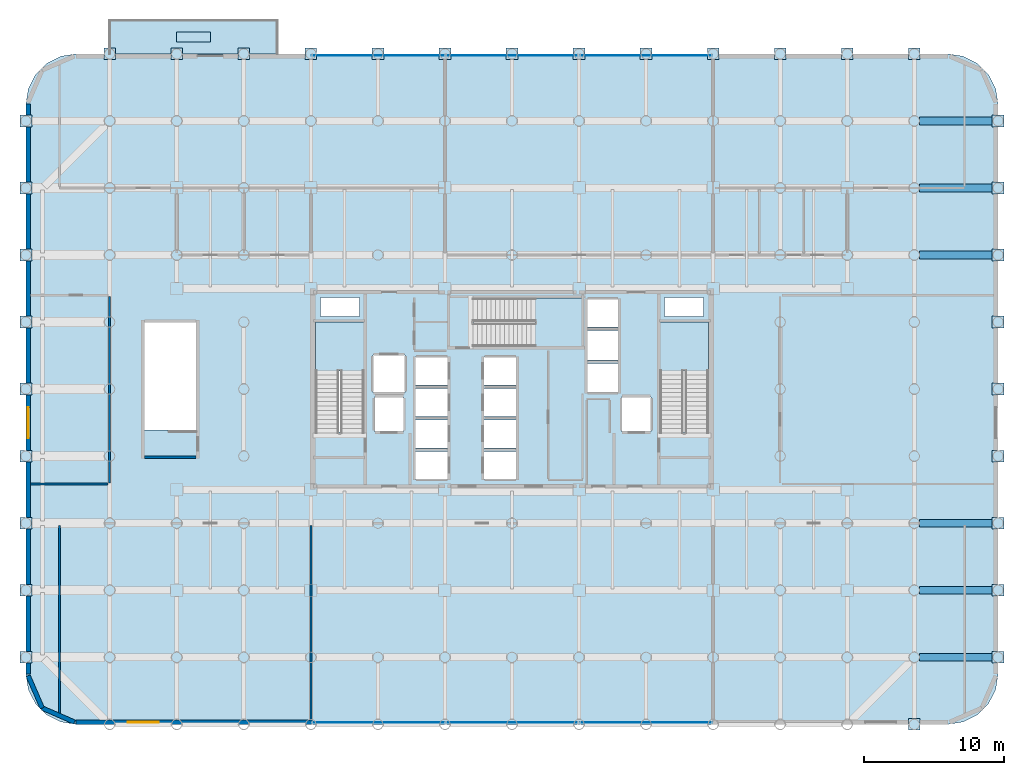
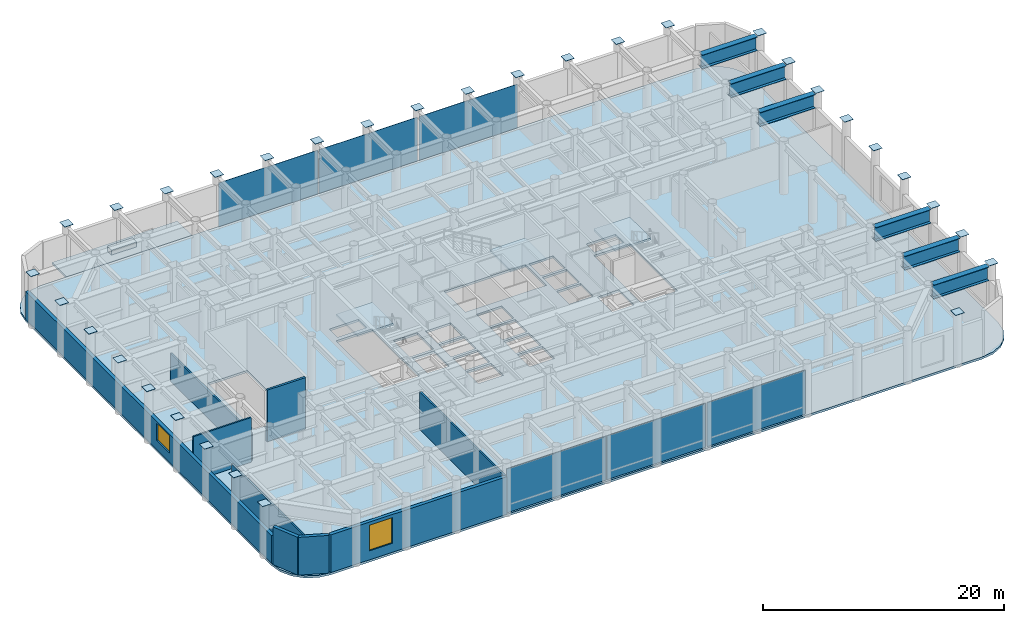
# One storey, part 13 of 20: 39 plates, 9 walls, 6 beams, 5 slabs, 2 windows, 2 openings, 9 elements without a shape of their own.
"""IFC4 building model written with IfcOpenShell, lengths in metres."""

from ifc_helpers import new_model, si_unit, direction, frame, frame_2d, origin, origin_2d, place, context, subcontext, project, spatial, polyline, rectangle, i_section, outline, extrude, material, layer, layer_set, material_profile, profile_set, type_object, element, fill, aggregate, save


model = new_model("IFC4")

# Units and contexts
model_context = context("Model", 3, precision=1e-05, world=origin(), true_north=direction((0.0, 1.0)))
body_context = subcontext(model_context, "Body", "Model", "MODEL_VIEW")
ifc_project = project(units=[si_unit("LENGTHUNIT", "METRE"), si_unit("AREAUNIT", "SQUARE_METRE"), si_unit("VOLUMEUNIT", "CUBIC_METRE"), si_unit("PLANEANGLEUNIT", "RADIAN"), si_unit("MASSUNIT", "GRAM", prefix="KILO")], contexts=[model_context])

# Site, building, storey
site_placement = place(None, origin())
site = spatial("IfcSite", under=ifc_project, at=site_placement, CompositionType="ELEMENT")
building_placement = place(site_placement, origin())
building = spatial("IfcBuilding", under=site, at=building_placement, Name="Kallvorn Hotel Tower", CompositionType="ELEMENT")
storey_placement = place(building_placement, frame((0.0, 0.0, 24.60009765625)))
storey = spatial("IfcBuildingStorey", under=building, at=storey_placement, Name="L04", CompositionType="ELEMENT", Elevation=24.60009765625)

# Beams
ifc_material_1 = material(Name="Structural steel S355JR", Category="steel")
ifc_material_profile = material_profile(ifc_material_1, i_section(OverallWidth=0.550048828125, OverallDepth=1.39990234375, WebThickness=0.02490234375, FlangeThickness=0.044921875, at=origin_2d()), Name="PG 1400x550x25x45")
ifc_profile_set = profile_set([ifc_material_profile], Name="Structural steel S355JR")
beam_type = type_object("IfcBeamType", Name="BM_PG_1400", PredefinedType="BEAM", material=ifc_profile_set)
for number, where, z_axis, x_axis, name in (
    (1, (29.156005859375, -19.199951171875, 4.52001953125), (1.0, 0.0, 0.0), (0.0, 1.0, 0.0), "L05 Primary X-Girder 22"),
    (2, (29.156005859375, -14.39990234375, 4.52001953125), (1.0, 0.0, 0.0), (0.0, 1.0, 0.0), "L05 Primary X-Girder 33"),
    (3, (29.156005859375, -9.60009765625, 4.52001953125), (1.0, 0.0, 0.0), (0.0, 1.0, 0.0), "L05 Primary X-Girder 43"),
    (4, (29.156005859375, 9.60009765625, 4.52001953125), (1.0, 0.0, 0.0), (0.0, 1.0, 0.0), "L05 Primary X-Girder 62"),
    (5, (29.156005859375, 14.39990234375, 4.52001953125), (1.0, 0.0, 0.0), (0.0, 1.0, 0.0), "L05 Primary X-Girder 73"),
    (6, (29.156005859375, 19.199951171875, 4.52001953125), (1.0, 0.0, 0.0), (0.0, 1.0, 0.0), "L05 Primary X-Girder 87"),
):
    element("IfcBeam", number, at=place(storey_placement, frame(where, z_axis=z_axis, x_axis=x_axis)), inside=storey, type_object=beam_type, Name=name, PredefinedType="BEAM", context=body_context, shape_type="SweptSolid", body=[
        extrude(i_section(OverallWidth=0.550048828125, OverallDepth=1.39990234375, WebThickness=0.02490234375, FlangeThickness=0.044921875, at=origin_2d()), origin(), (0.0, 0.0, 1.0), 5.2880859375),
    ])

# Curtain wall, plate
ifc_material_2 = material(Name="Thermally broken black-anodised aluminium AA 6063-T6", Category="aluminium")
ifc_layer_1 = layer(ifc_material_2, 0.219970703125)
ifc_layer_set_1 = layer_set([ifc_layer_1], Name="CW_SYS_2_PODIUM_CASC")
curtain_wall_type = type_object("IfcCurtainWallType", Name="CW_SYS_2_PODIUM_CASC", PredefinedType="USERDEFINED", material=ifc_layer_set_1)
curtain_wall_1_placement = place(storey_placement, origin())
curtain_wall_1 = element("IfcCurtainWall", 7, at=curtain_wall_1_placement, inside=storey, type_object=curtain_wall_type, Name="L04 Dark-Glass Curtain Wall CW-L04-S1", ObjectType="UNITISED CURTAIN WALL", PredefinedType="USERDEFINED")
ifc_material_3 = material(Name="Double-glazed low-e solar-control dark glass", Category="glass")
ifc_layer_2 = layer(ifc_material_3, 0.03955078125)
ifc_layer_set_2 = layer_set([ifc_layer_2], Name="CW_SYS_2_PODIUM_CASC_PANEL")
plate_type_1 = type_object("IfcPlateType", Name="CW_SYS_2_PODIUM_CASC_PANEL", PredefinedType="CURTAIN_PANEL", material=ifc_layer_set_2)
plate_1_placement = place(storey_placement, frame((-9.550048828125, -23.8798828125, 0.06005859375), z_axis=(0.0, 0.0, 1.0), x_axis=(1.0, 0.0, 0.0)))
plate_1 = element("IfcPlate", 8, at=plate_1_placement, type_object=plate_type_1, Name="CW-L04-S1 Vision Glass Panel 00", PredefinedType="CURTAIN_PANEL", context=body_context, shape_type="SweptSolid", body=[
    extrude(rectangle(XDim=9.5400390625, YDim=0.03955078125, at=origin_2d()), origin(), (0.0, 0.0, 1.0), 4.449951171875),
])
aggregate(curtain_wall_1, [plate_1])

curtain_wall_2_placement = place(storey_placement, origin())
curtain_wall_2 = element("IfcCurtainWall", 9, at=curtain_wall_2_placement, inside=storey, type_object=curtain_wall_type, Name="L04 Dark-Glass Curtain Wall CW-L04-N1", ObjectType="UNITISED CURTAIN WALL", PredefinedType="USERDEFINED")
plate_2_placement = place(storey_placement, frame((-9.550048828125, 23.8798828125, 0.06005859375), z_axis=(0.0, 0.0, 1.0), x_axis=(1.0, 0.0, 0.0)))
plate_2 = element("IfcPlate", 10, at=plate_2_placement, type_object=plate_type_1, Name="CW-L04-N1 Vision Glass Panel 00", PredefinedType="CURTAIN_PANEL", context=body_context, shape_type="SweptSolid", body=[
    extrude(rectangle(XDim=9.5400390625, YDim=0.03955078125, at=origin_2d()), origin(), (0.0, 0.0, 1.0), 4.449951171875),
])
aggregate(curtain_wall_2, [plate_2])

curtain_wall_3_placement = place(storey_placement, origin())
curtain_wall_3 = element("IfcCurtainWall", 11, at=curtain_wall_3_placement, inside=storey, type_object=curtain_wall_type, Name="L04 Dark-Glass Curtain Wall CW-L04-S2", ObjectType="UNITISED CURTAIN WALL", PredefinedType="USERDEFINED")
plate_3_placement = place(storey_placement, frame((0.0, -23.8798828125, 0.06005859375), z_axis=(0.0, 0.0, 1.0), x_axis=(1.0, 0.0, 0.0)))
plate_3 = element("IfcPlate", 12, at=plate_3_placement, type_object=plate_type_1, Name="CW-L04-S2 Vision Glass Panel 00", PredefinedType="CURTAIN_PANEL", context=body_context, shape_type="SweptSolid", body=[
    extrude(rectangle(XDim=9.43994140625, YDim=0.03955078125, at=origin_2d()), origin(), (0.0, 0.0, 1.0), 4.449951171875),
])
aggregate(curtain_wall_3, [plate_3])

curtain_wall_4_placement = place(storey_placement, origin())
curtain_wall_4 = element("IfcCurtainWall", 13, at=curtain_wall_4_placement, inside=storey, type_object=curtain_wall_type, Name="L04 Dark-Glass Curtain Wall CW-L04-N2", ObjectType="UNITISED CURTAIN WALL", PredefinedType="USERDEFINED")
plate_4_placement = place(storey_placement, frame((0.0, 23.8798828125, 0.06005859375), z_axis=(0.0, 0.0, 1.0), x_axis=(1.0, 0.0, 0.0)))
plate_4 = element("IfcPlate", 14, at=plate_4_placement, type_object=plate_type_1, Name="CW-L04-N2 Vision Glass Panel 00", PredefinedType="CURTAIN_PANEL", context=body_context, shape_type="SweptSolid", body=[
    extrude(rectangle(XDim=9.43994140625, YDim=0.03955078125, at=origin_2d()), origin(), (0.0, 0.0, 1.0), 4.449951171875),
])
aggregate(curtain_wall_4, [plate_4])

curtain_wall_5_placement = place(storey_placement, origin())
curtain_wall_5 = element("IfcCurtainWall", 15, at=curtain_wall_5_placement, inside=storey, type_object=curtain_wall_type, Name="L04 Dark-Glass Curtain Wall CW-L04-S3", ObjectType="UNITISED CURTAIN WALL", PredefinedType="USERDEFINED")
plate_5_placement = place(storey_placement, frame((9.60009765625, -23.8798828125, 0.06005859375), z_axis=(0.0, 0.0, 1.0), x_axis=(1.0, 0.0, 0.0)))
plate_5 = element("IfcPlate", 16, at=plate_5_placement, type_object=plate_type_1, Name="CW-L04-S3 Vision Glass Panel 00", PredefinedType="CURTAIN_PANEL", context=body_context, shape_type="SweptSolid", body=[
    extrude(rectangle(XDim=9.43994140625, YDim=0.03955078125, at=origin_2d()), origin(), (0.0, 0.0, 1.0), 4.449951171875),
])
aggregate(curtain_wall_5, [plate_5])

curtain_wall_6_placement = place(storey_placement, origin())
curtain_wall_6 = element("IfcCurtainWall", 17, at=curtain_wall_6_placement, inside=storey, type_object=curtain_wall_type, Name="L04 Dark-Glass Curtain Wall CW-L04-N3", ObjectType="UNITISED CURTAIN WALL", PredefinedType="USERDEFINED")
plate_6_placement = place(storey_placement, frame((9.60009765625, 23.8798828125, 0.06005859375), z_axis=(0.0, 0.0, 1.0), x_axis=(1.0, 0.0, 0.0)))
plate_6 = element("IfcPlate", 18, at=plate_6_placement, type_object=plate_type_1, Name="CW-L04-N3 Vision Glass Panel 00", PredefinedType="CURTAIN_PANEL", context=body_context, shape_type="SweptSolid", body=[
    extrude(rectangle(XDim=9.43994140625, YDim=0.03955078125, at=origin_2d()), origin(), (0.0, 0.0, 1.0), 4.449951171875),
])
aggregate(curtain_wall_6, [plate_6])

# Plates
ifc_material_4 = material(Name="Structural steel S355JR", Category="steel")
ifc_layer_3 = layer(ifc_material_4, 0.030029296875)
ifc_layer_set_3 = layer_set([ifc_layer_3], Name="PLT_CAP_30")
plate_type_2 = type_object("IfcPlateType", Name="PLT_CAP_30", PredefinedType="SHEET", material=ifc_layer_set_3)
for number, where, z_axis, x_axis, name in (
    (19, (-34.800048828125, -19.199951171875, 5.39990234375), (0.0, 0.0, 1.0), (1.0, 0.0, 0.0), "L04 Hollow Column Top End Cap Plate 0097"),
    (20, (-34.800048828125, -14.39990234375, 5.39990234375), (0.0, 0.0, 1.0), (1.0, 0.0, 0.0), "L04 Hollow Column Top End Cap Plate 0098"),
    (21, (-34.800048828125, -9.60009765625, 5.39990234375), (0.0, 0.0, 1.0), (1.0, 0.0, 0.0), "L04 Hollow Column Top End Cap Plate 0099"),
    (22, (-34.800048828125, -4.800048828125, 5.39990234375), (0.0, 0.0, 1.0), (1.0, 0.0, 0.0), "L04 Hollow Column Top End Cap Plate 0100"),
    (23, (-34.800048828125, 0.0, 5.39990234375), (0.0, 0.0, 1.0), (1.0, 0.0, 0.0), "L04 Hollow Column Top End Cap Plate 0101"),
    (24, (-34.800048828125, 4.800048828125, 5.39990234375), (0.0, 0.0, 1.0), (1.0, 0.0, 0.0), "L04 Hollow Column Top End Cap Plate 0102"),
    (25, (-34.800048828125, 9.60009765625, 5.39990234375), (0.0, 0.0, 1.0), (1.0, 0.0, 0.0), "L04 Hollow Column Top End Cap Plate 0103"),
    (26, (-34.800048828125, 14.39990234375, 5.39990234375), (0.0, 0.0, 1.0), (1.0, 0.0, 0.0), "L04 Hollow Column Top End Cap Plate 0104"),
    (27, (-34.800048828125, 19.199951171875, 5.39990234375), (0.0, 0.0, 1.0), (1.0, 0.0, 0.0), "L04 Hollow Column Top End Cap Plate 0105"),
    (28, (-28.800048828125, 24.0, 5.39990234375), (0.0, 0.0, 1.0), (1.0, 0.0, 0.0), "L04 Hollow Column Top End Cap Plate 0106"),
    (29, (-24.0, 24.0, 5.39990234375), (0.0, 0.0, 1.0), (1.0, 0.0, 0.0), "L04 Hollow Column Top End Cap Plate 0107"),
    (30, (-19.199951171875, 24.0, 5.39990234375), (0.0, 0.0, 1.0), (1.0, 0.0, 0.0), "L04 Hollow Column Top End Cap Plate 0108"),
    (31, (-14.39990234375, 24.0, 5.39990234375), (0.0, 0.0, 1.0), (1.0, 0.0, 0.0), "L04 Hollow Column Top End Cap Plate 0109"),
    (32, (-9.60009765625, 24.0, 5.39990234375), (0.0, 0.0, 1.0), (1.0, 0.0, 0.0), "L04 Hollow Column Top End Cap Plate 0110"),
    (33, (-4.800048828125, 24.0, 5.39990234375), (0.0, 0.0, 1.0), (1.0, 0.0, 0.0), "L04 Hollow Column Top End Cap Plate 0111"),
    (34, (0.0, 24.0, 5.39990234375), (0.0, 0.0, 1.0), (1.0, 0.0, 0.0), "L04 Hollow Column Top End Cap Plate 0112"),
    (35, (4.800048828125, 24.0, 5.39990234375), (0.0, 0.0, 1.0), (1.0, 0.0, 0.0), "L04 Hollow Column Top End Cap Plate 0113"),
    (36, (9.60009765625, 24.0, 5.39990234375), (0.0, 0.0, 1.0), (1.0, 0.0, 0.0), "L04 Hollow Column Top End Cap Plate 0114"),
    (37, (14.39990234375, 24.0, 5.39990234375), (0.0, 0.0, 1.0), (1.0, 0.0, 0.0), "L04 Hollow Column Top End Cap Plate 0115"),
    (38, (19.199951171875, 24.0, 5.39990234375), (0.0, 0.0, 1.0), (1.0, 0.0, 0.0), "L04 Hollow Column Top End Cap Plate 0116"),
    (39, (24.0, 24.0, 5.39990234375), (0.0, 0.0, 1.0), (1.0, 0.0, 0.0), "L04 Hollow Column Top End Cap Plate 0117"),
    (40, (28.800048828125, -24.0, 5.39990234375), (0.0, 0.0, 1.0), (1.0, 0.0, 0.0), "L04 Hollow Column Top End Cap Plate 0118"),
    (41, (28.800048828125, 24.0, 5.39990234375), (0.0, 0.0, 1.0), (1.0, 0.0, 0.0), "L04 Hollow Column Top End Cap Plate 0119"),
    (42, (34.800048828125, -19.199951171875, 5.39990234375), (0.0, 0.0, 1.0), (1.0, 0.0, 0.0), "L04 Hollow Column Top End Cap Plate 0120"),
    (43, (34.800048828125, -14.39990234375, 5.39990234375), (0.0, 0.0, 1.0), (1.0, 0.0, 0.0), "L04 Hollow Column Top End Cap Plate 0121"),
    (44, (34.800048828125, -9.60009765625, 5.39990234375), (0.0, 0.0, 1.0), (1.0, 0.0, 0.0), "L04 Hollow Column Top End Cap Plate 0122"),
    (45, (34.800048828125, -4.800048828125, 5.39990234375), (0.0, 0.0, 1.0), (1.0, 0.0, 0.0), "L04 Hollow Column Top End Cap Plate 0123"),
    (46, (34.800048828125, 0.0, 5.39990234375), (0.0, 0.0, 1.0), (1.0, 0.0, 0.0), "L04 Hollow Column Top End Cap Plate 0124"),
    (47, (34.800048828125, 4.800048828125, 5.39990234375), (0.0, 0.0, 1.0), (1.0, 0.0, 0.0), "L04 Hollow Column Top End Cap Plate 0125"),
    (48, (34.800048828125, 9.60009765625, 5.39990234375), (0.0, 0.0, 1.0), (1.0, 0.0, 0.0), "L04 Hollow Column Top End Cap Plate 0126"),
    (49, (34.800048828125, 14.39990234375, 5.39990234375), (0.0, 0.0, 1.0), (1.0, 0.0, 0.0), "L04 Hollow Column Top End Cap Plate 0127"),
    (50, (34.800048828125, 19.199951171875, 5.39990234375), (0.0, 0.0, 1.0), (1.0, 0.0, 0.0), "L04 Hollow Column Top End Cap Plate 0128"),
):
    element("IfcPlate", number, at=place(storey_placement, frame(where, z_axis=z_axis, x_axis=x_axis)), inside=storey, type_object=plate_type_2, Name=name, PredefinedType="SHEET", context=body_context, shape_type="SweptSolid", body=[
        extrude(rectangle(XDim=0.842041015625, YDim=0.842041015625, at=origin_2d()), origin(), (0.0, 0.0, 1.0), 0.030029296875),
    ])
ifc_material_5 = material(Name="Powder-coated marine-grade aluminium planter trough", Category="aluminium")
ifc_layer_4 = layer(ifc_material_5, 0.0400390625)
ifc_layer_set_4 = layer_set([ifc_layer_4], Name="PLT_PLANTER_TROUGH")
plate_type_3 = type_object("IfcPlateType", Name="PLT_PLANTER_TROUGH", PredefinedType="USERDEFINED", material=ifc_layer_set_4)
plate_7_placement = place(storey_placement, frame((-22.800048828125, 25.199951171875, 0.0), z_axis=(0.0, 0.0, 1.0), x_axis=(1.0, 0.0, 0.0)))
element("IfcPlate", 51, at=plate_7_placement, inside=storey, type_object=plate_type_3, Name="TER-L04-N Planted Terrace Trough", ObjectType="FACADE PLANTER TROUGH", PredefinedType="USERDEFINED", context=body_context, shape_type="SweptSolid", body=[
    extrude(rectangle(XDim=2.39990234375, YDim=0.699951171875, at=origin_2d()), origin(), (0.0, 0.0, 1.0), 0.5),
])

# Slab
ifc_material_6 = material(Name="Concrete C40/50", Category="concrete")
ifc_layer_5 = layer(ifc_material_6, 0.219970703125)
ifc_layer_set_5 = layer_set([ifc_layer_5], Name="SLB_CASCADE_220")
slab_type_1 = type_object("IfcSlabType", Name="SLB_CASCADE_220", PredefinedType="FLOOR", material=ifc_layer_set_5)
slab_1_placement = place(storey_placement, frame((0.0, 0.0, -0.22021484375)))
element("IfcSlab", 52, at=slab_1_placement, inside=storey, type_object=slab_type_1, Name="L04 Structural Floor Slab", PredefinedType="FLOOR", context=body_context, shape_type="SweptSolid", body=[
    extrude(outline(polyline([(31.199951171875, -24.0), (32.3125, -23.82373046875), (33.31591796875, -23.3125), (34.112548828125, -22.51611328125), (34.623779296875, -21.512451171875), (34.800048828125, -20.39990234375), (34.800048828125, 20.39990234375), (34.623779296875, 21.512451171875), (34.112548828125, 22.51611328125), (33.31591796875, 23.3125), (32.3125, 23.82373046875), (31.199951171875, 24.0), (-31.199951171875, 24.0), (-32.3125, 23.82373046875), (-33.31591796875, 23.3125), (-34.112548828125, 22.51611328125), (-34.623779296875, 21.512451171875), (-34.800048828125, 20.39990234375), (-34.800048828125, -20.39990234375), (-34.623779296875, -21.512451171875), (-34.112548828125, -22.51611328125), (-33.31591796875, -23.3125), (-32.3125, -23.82373046875), (-31.199951171875, -24.0), (31.199951171875, -24.0)]), holes=[polyline([(-10.60009765625, -3.070068359375), (-10.60009765625, 4.800048828125), (-14.06005859375, 4.800048828125), (-14.06005859375, -3.070068359375), (-10.60009765625, -3.070068359375)]), polyline([(14.06005859375, -3.070068359375), (14.06005859375, 4.800048828125), (10.60009765625, 4.800048828125), (10.60009765625, -3.070068359375), (14.06005859375, -3.070068359375)]), polyline([(-2.719970703125, 3.050048828125), (5.050048828125, 3.050048828125), (5.050048828125, 6.510009765625), (-2.719970703125, 6.510009765625), (-2.719970703125, 3.050048828125)]), polyline([(-22.60009765625, -2.929931640625), (-22.60009765625, 4.800048828125), (-26.340087890625, 4.800048828125), (-26.340087890625, -2.929931640625), (-22.60009765625, -2.929931640625)]), polyline([(-6.949951171875, -6.449951171875), (-4.550048828125, -6.449951171875), (-4.550048828125, -4.449951171875), (-6.949951171875, -4.449951171875), (-6.949951171875, -6.449951171875)]), polyline([(-6.949951171875, -4.199951171875), (-4.550048828125, -4.199951171875), (-4.550048828125, -2.199951171875), (-6.949951171875, -2.199951171875), (-6.949951171875, -4.199951171875)]), polyline([(-6.949951171875, -1.949951171875), (-4.550048828125, -1.949951171875), (-4.550048828125, 0.050048828125), (-6.949951171875, 0.050048828125), (-6.949951171875, -1.949951171875)]), polyline([(-6.949951171875, 0.300048828125), (-4.550048828125, 0.300048828125), (-4.550048828125, 2.300048828125), (-6.949951171875, 2.300048828125), (-6.949951171875, 0.300048828125)]), polyline([(-2.050048828125, -6.449951171875), (0.35009765625, -6.449951171875), (0.35009765625, -4.449951171875), (-2.050048828125, -4.449951171875), (-2.050048828125, -6.449951171875)]), polyline([(-2.050048828125, -4.199951171875), (0.35009765625, -4.199951171875), (0.35009765625, -2.199951171875), (-2.050048828125, -2.199951171875), (-2.050048828125, -4.199951171875)]), polyline([(-2.050048828125, -1.949951171875), (0.35009765625, -1.949951171875), (0.35009765625, 0.050048828125), (-2.050048828125, 0.050048828125), (-2.050048828125, -1.949951171875)]), polyline([(-2.050048828125, 0.300048828125), (0.35009765625, 0.300048828125), (0.35009765625, 2.300048828125), (-2.050048828125, 2.300048828125), (-2.050048828125, 0.300048828125)]), polyline([(5.35009765625, -0.25), (7.64990234375, -0.25), (7.64990234375, 1.85009765625), (5.35009765625, 1.85009765625), (5.35009765625, -0.25)]), polyline([(5.35009765625, 2.10009765625), (7.64990234375, 2.10009765625), (7.64990234375, 4.199951171875), (5.35009765625, 4.199951171875), (5.35009765625, 2.10009765625)]), polyline([(5.35009765625, 4.449951171875), (7.64990234375, 4.449951171875), (7.64990234375, 6.449951171875), (5.35009765625, 6.449951171875), (5.35009765625, 4.449951171875)]), polyline([(-9.85009765625, -3.050048828125), (-7.75, -3.050048828125), (-7.75, -0.550048828125), (-9.85009765625, -0.550048828125), (-9.85009765625, -3.050048828125)]), polyline([(7.85009765625, -3.050048828125), (9.949951171875, -3.050048828125), (9.949951171875, -0.550048828125), (7.85009765625, -0.550048828125), (7.85009765625, -3.050048828125)]), polyline([(-9.949951171875, -0.25), (-7.64990234375, -0.25), (-7.64990234375, 2.449951171875), (-9.949951171875, 2.449951171875), (-9.949951171875, -0.25)]), polyline([(-13.699951171875, 5.199951171875), (-10.89990234375, 5.199951171875), (-10.89990234375, 6.550048828125), (-13.699951171875, 6.550048828125), (-13.699951171875, 5.199951171875)]), polyline([(10.89990234375, 5.199951171875), (13.699951171875, 5.199951171875), (13.699951171875, 6.550048828125), (10.89990234375, 6.550048828125), (10.89990234375, 5.199951171875)])]), origin(), (0.0, 0.0, 1.0), 0.22021484375),
])

# Stair, slab
ifc_material_7 = material(Name="Precast concrete C40/50", Category="concrete")
stair_type = type_object("IfcStairType", Name="STR_CORE_DOGLEG", PredefinedType="HALF_TURN_STAIR", material=ifc_material_7)
stair_1_placement = place(storey_placement, origin())
stair_1 = element("IfcStair", 53, at=stair_1_placement, inside=storey, type_object=stair_type, Name="L04 Exit stair ST1", PredefinedType="HALF_TURN_STAIR")
ifc_material_8 = material(Name="Precast concrete C40/50", Category="concrete")
ifc_layer_6 = layer(ifc_material_8, 0.179931640625)
ifc_layer_set_6 = layer_set([ifc_layer_6], Name="SLB_LANDING_180")
slab_type_2 = type_object("IfcSlabType", Name="SLB_LANDING_180", PredefinedType="LANDING", material=ifc_layer_set_6)
slab_2_placement = place(storey_placement, frame((0.0, 0.0, 2.5)))
slab_2 = element("IfcSlab", 54, at=slab_2_placement, type_object=slab_type_2, Name="ST1 landing 1", PredefinedType="LANDING", context=body_context, shape_type="SweptSolid", body=[
    extrude(outline(polyline([(-10.60009765625, 1.2900390625), (-10.60009765625, 4.800048828125), (-14.06005859375, 4.800048828125), (-14.06005859375, 1.2900390625), (-10.60009765625, 1.2900390625)])), origin(), (0.0, 0.0, 1.0), 0.199951171875),
])
aggregate(stair_1, [slab_2])

stair_2_placement = place(storey_placement, origin())
stair_2 = element("IfcStair", 55, at=stair_2_placement, inside=storey, type_object=stair_type, Name="L04 Exit stair ST2", PredefinedType="HALF_TURN_STAIR")
slab_3_placement = place(storey_placement, frame((0.0, 0.0, 2.5)))
slab_3 = element("IfcSlab", 56, at=slab_3_placement, type_object=slab_type_2, Name="ST2 landing 1", PredefinedType="LANDING", context=body_context, shape_type="SweptSolid", body=[
    extrude(outline(polyline([(14.06005859375, 1.2900390625), (14.06005859375, 4.800048828125), (10.60009765625, 4.800048828125), (10.60009765625, 1.2900390625), (14.06005859375, 1.2900390625)])), origin(), (0.0, 0.0, 1.0), 0.199951171875),
])
aggregate(stair_2, [slab_3])

stair_3_placement = place(storey_placement, origin())
stair_3 = element("IfcStair", 57, at=stair_3_placement, inside=storey, type_object=stair_type, Name="L04 Exit stair ST3", PredefinedType="HALF_TURN_STAIR")
slab_4_placement = place(storey_placement, frame((0.0, 0.0, 2.5)))
slab_4 = element("IfcSlab", 58, at=slab_4_placement, type_object=slab_type_2, Name="ST3 landing 1", PredefinedType="LANDING", context=body_context, shape_type="SweptSolid", body=[
    extrude(outline(polyline([(1.639892578125, 3.050048828125), (5.050048828125, 3.050048828125), (5.050048828125, 6.510009765625), (1.639892578125, 6.510009765625), (1.639892578125, 3.050048828125)])), origin(), (0.0, 0.0, 1.0), 0.199951171875),
])
aggregate(stair_3, [slab_4])

# Slab
ifc_material_9 = material(Name="Concrete C40/50", Category="concrete")
ifc_layer_7 = layer(ifc_material_9, 0.179931640625)
ifc_layer_set_7 = layer_set([ifc_layer_7], Name="SLB_TERRACE_180")
slab_type_3 = type_object("IfcSlabType", Name="SLB_TERRACE_180", PredefinedType="ROOF", material=ifc_layer_set_7)
slab_5_placement = place(storey_placement, frame((0.0, 0.0, -0.18017578125)))
element("IfcSlab", 59, at=slab_5_placement, inside=storey, type_object=slab_type_3, Name="L04 Cascading Garden Terrace TER-L04-N", PredefinedType="ROOF", context=body_context, shape_type="SweptSolid", body=[
    extrude(outline(polyline([(-28.800048828125, 24.0), (-16.800048828125, 24.0), (-16.800048828125, 26.39990234375), (-28.800048828125, 26.39990234375), (-28.800048828125, 24.0)])), origin(), (0.0, 0.0, 1.0), 0.18017578125),
])

# Wall, opening, window
ifc_material_10 = material(Name="Precast basalt-clad insulated concrete wall C40/50", Category="masonry")
ifc_layer_8 = layer(ifc_material_10, 0.320068359375)
ifc_layer_set_8 = layer_set([ifc_layer_8], Name="WL_EXT_BAY_320")
wall_type_1 = type_object("IfcWallType", Name="WL_EXT_BAY_320", PredefinedType="SOLIDWALL", material=ifc_layer_set_8)
wall_1_placement = place(storey_placement, frame((-14.35009765625, -23.840087890625, 0.0), z_axis=(0.0, 0.0, 1.0), x_axis=(-1.0, 0.0, 0.0)))
wall_1 = element("IfcWall", 60, at=wall_1_placement, inside=storey, type_object=wall_type_1, Name="L04 Podium Exterior Wall EW-L04-SW", PredefinedType="SOLIDWALL", context=body_context, shape_type="SweptSolid", body=[
    extrude(rectangle(XDim=16.849853515625, YDim=0.320068359375, at=frame_2d((8.4248046875, 0.0))), origin(), (0.0, 0.0, 1.0), 3.81982421875),
])
opening_1_placement = place(wall_1_placement, frame((10.949951171875, 0.0, 0.89990234375)))
opening_1 = element("IfcOpeningElement", 61, at=opening_1_placement, cuts=wall_1, Name="Opening W03", PredefinedType="OPENING", context=body_context, shape_type="SweptSolid", body=[
    extrude(rectangle(XDim=2.199951171875, YDim=2.60009765625, at=frame_2d((1.10009765625, 1.300048828125))), frame((0.0, 0.175048828125, 0.0), z_axis=(0.0, -1.0, 0.0), x_axis=(1.0, 0.0, 0.0)), (0.0, 0.0, 1.0), 0.35009765625),
])
ifc_material_11 = material(Name="Double-glazed low-e solar-control dark glass", Category="glass")
window_type_1 = type_object("IfcWindowType", Name="WN_CASC_2200x2600", PartitioningType="SINGLE_PANEL", PredefinedType="WINDOW", material=ifc_material_11)
window_1_placement = place(opening_1_placement, origin())
window_1 = element("IfcWindow", 62, at=window_1_placement, inside=storey, type_object=window_type_1, Name="L04 Podium Window EW-L04-SW", OverallHeight=2.60009765625, OverallWidth=2.199951171875, PartitioningType="SINGLE_PANEL", PredefinedType="WINDOW", context=body_context, shape_type="SweptSolid", body=[
    extrude(rectangle(XDim=2.199951171875, YDim=2.60009765625, at=frame_2d((1.10009765625, 1.300048828125))), frame((0.0, 0.030029296875, 0.0), z_axis=(0.0, -1.0, 0.0), x_axis=(1.0, 0.0, 0.0)), (0.0, 0.0, 1.0), 0.06005859375),
])
fill(opening_1, window_1)

wall_2_placement = place(storey_placement, frame((-34.639892578125, -20.39990234375, 0.0), z_axis=(0.0, 0.0, 1.0), x_axis=(0.0, 1.0, 0.0)))
wall_2 = element("IfcWall", 63, at=wall_2_placement, inside=storey, type_object=wall_type_1, Name="L04 Podium Exterior Wall EW-L04-W", PredefinedType="SOLIDWALL", context=body_context, shape_type="SweptSolid", body=[
    extrude(rectangle(XDim=40.7998046875, YDim=0.320068359375, at=frame_2d((20.39990234375, 0.0))), origin(), (0.0, 0.0, 1.0), 2.81982421875),
])
opening_2_placement = place(wall_2_placement, frame((16.89990234375, 0.0, 0.89990234375)))
opening_2 = element("IfcOpeningElement", 64, at=opening_2_placement, cuts=wall_2, Name="Opening W03A", PredefinedType="OPENING", context=body_context, shape_type="SweptSolid", body=[
    extrude(rectangle(XDim=2.199951171875, YDim=1.75, at=frame_2d((1.10009765625, 0.875))), frame((0.0, 0.175048828125, 0.0), z_axis=(0.0, -1.0, 0.0), x_axis=(1.0, 0.0, 0.0)), (0.0, 0.0, 1.0), 0.35009765625),
])
ifc_material_12 = material(Name="Double-glazed low-e solar-control dark glass", Category="glass")
window_type_2 = type_object("IfcWindowType", Name="WN_CASC_2200x1750", PartitioningType="SINGLE_PANEL", PredefinedType="WINDOW", material=ifc_material_12)
window_2_placement = place(opening_2_placement, origin())
window_2 = element("IfcWindow", 65, at=window_2_placement, inside=storey, type_object=window_type_2, Name="L04 Podium Window EW-L04-W", OverallHeight=1.75, OverallWidth=2.199951171875, PartitioningType="SINGLE_PANEL", PredefinedType="WINDOW", context=body_context, shape_type="SweptSolid", body=[
    extrude(rectangle(XDim=2.199951171875, YDim=1.75, at=frame_2d((1.10009765625, 0.875))), frame((0.0, 0.030029296875, 0.0), z_axis=(0.0, -1.0, 0.0), x_axis=(1.0, 0.0, 0.0)), (0.0, 0.0, 1.0), 0.06005859375),
])
fill(opening_2, window_2)

# Walls
wall_3_placement = place(storey_placement, frame((-34.637939453125, -20.52001953125, 0.0), z_axis=(0.0, 0.0, 1.0), x_axis=(0.398786293654, -0.917043887714, 0.0)))
element("IfcWall", 66, at=wall_3_placement, inside=storey, type_object=wall_type_1, Name="L04 Rounded Corner Exterior Wall SW1", PredefinedType="SOLIDWALL", context=body_context, shape_type="SweptSolid", body=[
    extrude(rectangle(XDim=2.521728515625, YDim=0.320068359375, at=frame_2d((1.2607421875, 0.0))), origin(), (0.0, 0.0, 1.0), 3.81982421875),
])
wall_4_placement = place(storey_placement, frame((-33.63232421875, -22.83251953125, 0.0), z_axis=(0.0, 0.0, 1.0), x_axis=(0.917063898521, -0.3987402739, 0.0)))
element("IfcWall", 67, at=wall_4_placement, inside=storey, type_object=wall_type_1, Name="L04 Rounded Corner Exterior Wall SW2", PredefinedType="SOLIDWALL", context=body_context, shape_type="SweptSolid", body=[
    extrude(rectangle(XDim=2.521484375, YDim=0.320068359375, at=frame_2d((1.2607421875, 0.0))), origin(), (0.0, 0.0, 1.0), 3.81982421875),
])
ifc_material_13 = material(Name="Concrete C40/50", Category="concrete")
ifc_layer_9 = layer(ifc_material_13, 0.199951171875)
ifc_layer_set_9 = layer_set([ifc_layer_9], Name="WL_HOIST_200")
wall_type_2 = type_object("IfcWallType", Name="WL_HOIST_200", PredefinedType="SOLIDWALL", material=ifc_layer_set_9)
wall_5_placement = place(storey_placement, frame((-26.31005859375, -4.8798828125, -0.22021484375), z_axis=(0.0, 0.0, 1.0), x_axis=(1.0, 0.0, 0.0)))
element("IfcWall", 68, at=wall_5_placement, inside=storey, type_object=wall_type_2, Name="L04 Podium Exit Stair ST4 South Wall", PredefinedType="SOLIDWALL", context=body_context, shape_type="SweptSolid", body=[
    extrude(rectangle(XDim=3.68017578125, YDim=0.199951171875, at=frame_2d((1.840087890625, 0.0))), origin(), (0.0, 0.0, 1.0), 5.440185546875),
])
ifc_material_14 = material(Name="Fire-rated double-layer acoustic gypsum drywall EI 60")
ifc_layer_10 = layer(ifc_material_14, 0.14990234375)
ifc_layer_set_10 = layer_set([ifc_layer_10], Name="WL_PART_150")
wall_type_3 = type_object("IfcWallType", Name="WL_PART_150", PredefinedType="PARTITIONING", material=ifc_layer_set_10)
wall_6_placement = place(storey_placement, frame((-34.469970703125, -6.800048828125, 0.0), z_axis=(0.0, 0.0, 1.0), x_axis=(1.0, 0.0, 0.0)))
element("IfcWall", 69, at=wall_6_placement, inside=storey, type_object=wall_type_3, Name="L04 West Relaxation Tea Bar Partition", PredefinedType="PARTITIONING", context=body_context, shape_type="SweptSolid", body=[
    extrude(rectangle(XDim=5.550048828125, YDim=0.14990234375, at=frame_2d((2.77490234375, 0.0))), origin(), (0.0, 0.0, 1.0), 4.52001953125),
])
wall_7_placement = place(storey_placement, frame((-32.39990234375, -23.1982421875, 0.0), z_axis=(0.0, 0.0, 1.0), x_axis=(0.0, 1.0, 0.0)))
element("IfcWall", 70, at=wall_7_placement, inside=storey, type_object=wall_type_3, Name="L04 Altitude Fitness and Cardio Gymnasium Partition", PredefinedType="PARTITIONING", context=body_context, shape_type="SweptSolid", body=[
    extrude(rectangle(XDim=13.4482421875, YDim=0.14990234375, at=frame_2d((6.72412109375, 0.0))), origin(), (0.0, 0.0, 1.0), 2.81982421875),
])
wall_8_placement = place(storey_placement, frame((-28.800048828125, -6.715087890625, 0.0), z_axis=(0.0, 0.0, 1.0), x_axis=(0.0, 1.0, 0.0)))
element("IfcWall", 71, at=wall_8_placement, inside=storey, type_object=wall_type_3, Name="L04 West Relaxation Tea Bar Partition", PredefinedType="PARTITIONING", context=body_context, shape_type="SweptSolid", body=[
    extrude(rectangle(XDim=13.3466796875, YDim=0.14990234375, at=frame_2d((6.67333984375, 0.0))), origin(), (0.0, 0.0, 1.0), 2.81982421875),
])
wall_9_placement = place(storey_placement, frame((-14.39990234375, -23.7548828125, 0.0), z_axis=(0.0, 0.0, 1.0), x_axis=(0.0, 1.0, 0.0)))
element("IfcWall", 72, at=wall_9_placement, inside=storey, type_object=wall_type_3, Name="L04 Indoor Lap Pool and Hydrotherapy Natatorium Partition", PredefinedType="PARTITIONING", context=body_context, shape_type="SweptSolid", body=[
    extrude(rectangle(XDim=14.0048828125, YDim=0.14990234375, at=frame_2d((7.00244140625, 0.0))), origin(), (0.0, 0.0, 1.0), 3.81982421875),
])

save(model, "model.ifc")
